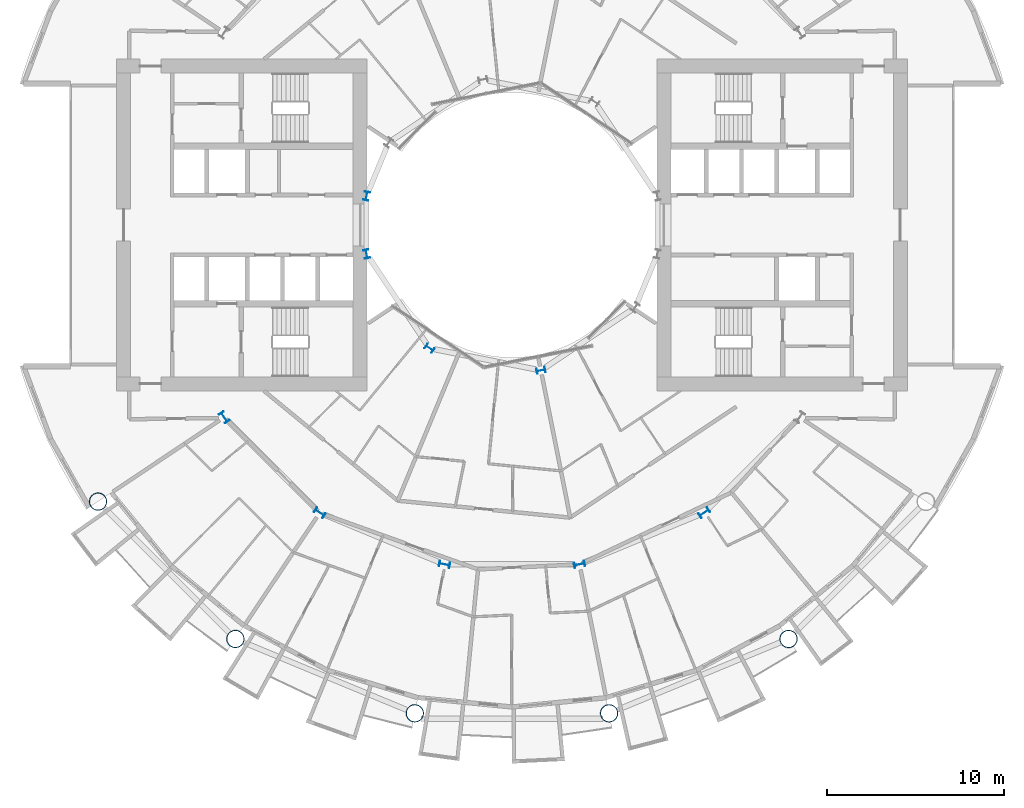
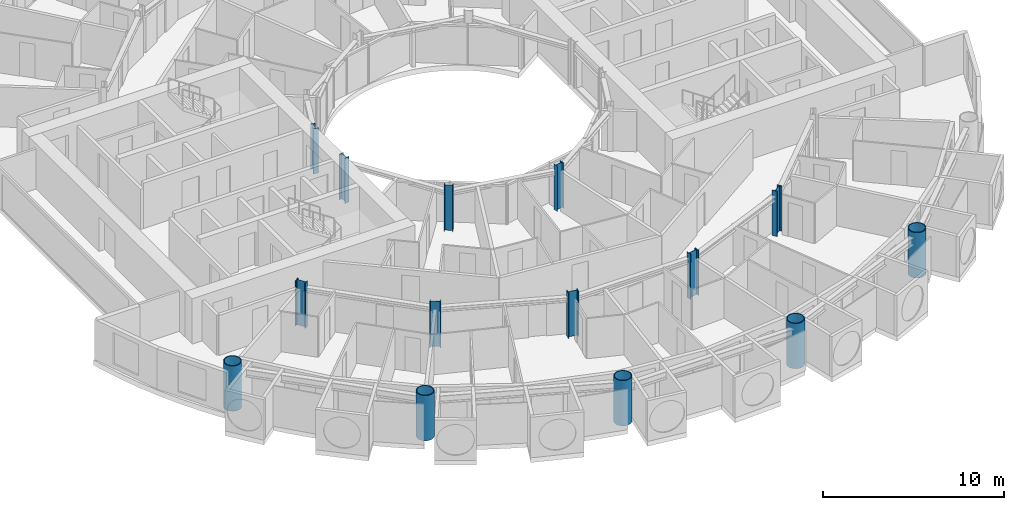
# One storey, part 1 of 26: 14 columns.
"""IFC4 building model written with IfcOpenShell, lengths in metres."""

import ifcopenshell
import ifcopenshell.guid

model = None  # the IFC model being written
_history = None  # IfcOwnerHistory: only IFC2X3 demands one
_inside = {}  # id of a spatial element -> (the spatial element, [elements in it])
_under = {}  # id of a project, library or spatial element -> (it, [spatial elements below it])
_declared = {}  # id of a project -> (the project, [libraries it declares])
_typed = {}  # id of a type object -> (the type object, [elements of that type])
_made_of = {}  # id of a material, layer set ... -> (it, [elements and type objects made of it])


def new_model(schema):
    """Start an empty IFC model of exactly this schema.

    Asked for "IFC4X3", IfcOpenShell would pick the latest addendum, in which some entities
    have other attributes; the version numbers below select the first issue.
    IFC2X3 requires an IfcOwnerHistory on every rooted entity: one is made here for all.
    """
    global model, _history
    if schema == "IFC4X3":
        model = ifcopenshell.file(schema_version=(4, 3, 0, 0))
    else:
        model = ifcopenshell.file(schema=schema)
    _inside.clear()
    _under.clear()
    _declared.clear()
    _typed.clear()
    _made_of.clear()
    _history = None
    if model.schema == "IFC2X3":
        org = make("IfcOrganization", Name="unknown")
        user = make(
            "IfcPersonAndOrganization",
            ThePerson=make("IfcPerson", FamilyName="unknown"),
            TheOrganization=org,
        )
        app = make(
            "IfcApplication",
            ApplicationDeveloper=org,
            Version="unknown",
            ApplicationFullName="unknown",
            ApplicationIdentifier="unknown",
        )
        _history = make(
            "IfcOwnerHistory",
            OwningUser=user,
            OwningApplication=app,
            ChangeAction="ADDED",
            CreationDate=0,
        )
    return model


def make(cls, **values):
    """One entity of the class cls with the attributes given. An attribute that is None is left unset."""
    return model.create_entity(
        cls, **{name: value for name, value in values.items() if value is not None}
    )


def rooted(cls, **values):
    """An entity with a GlobalId (a new one), such as an element, a storey or a relation."""
    return make(cls, GlobalId=ifcopenshell.guid.new(), OwnerHistory=_history, **values)


def si_unit(unit_type, name, prefix=None):
    """IfcSIUnit, for example si_unit("LENGTHUNIT", "METRE", prefix="MILLI")."""
    return make("IfcSIUnit", UnitType=unit_type, Prefix=prefix, Name=name)


def assignment(units):
    """IfcUnitAssignment: the units of a project."""
    return None if units is None else make("IfcUnitAssignment", Units=units)


def point(xyz):
    """IfcCartesianPoint."""
    return None if xyz is None else make("IfcCartesianPoint", Coordinates=xyz)


def direction(xyz):
    """IfcDirection."""
    return None if xyz is None else make("IfcDirection", DirectionRatios=xyz)


def frame(location, z_axis=None, x_axis=None):
    """IfcAxis2Placement3D, a coordinate frame: its origin and axes. An axis left out is left unset."""
    return make(
        "IfcAxis2Placement3D",
        Location=point(location),
        Axis=direction(z_axis),
        RefDirection=direction(x_axis),
    )


def frame_2d(location, x_axis=None):
    """IfcAxis2Placement2D, a coordinate frame in the plane: its origin and x axis."""
    return make(
        "IfcAxis2Placement2D", Location=point(location), RefDirection=direction(x_axis)
    )


def origin():
    """The frame at (0, 0, 0) with its axes left unset."""
    return frame((0.0, 0.0, 0.0))


def origin_2d():
    """The frame at (0, 0) in the plane with its x axis left unset."""
    return frame_2d((0.0, 0.0))


def place(relative_to, where):
    """IfcLocalPlacement: puts the frame where relative to a parent placement (None: the world)."""
    return make(
        "IfcLocalPlacement", PlacementRelTo=relative_to, RelativePlacement=where
    )


def context(
    kind, dimensions, precision=None, world=None, true_north=None, identifier=None
):
    """IfcGeometricRepresentationContext, for example the 3D "Model" context."""
    return make(
        "IfcGeometricRepresentationContext",
        ContextIdentifier=identifier,
        ContextType=kind,
        CoordinateSpaceDimension=dimensions,
        Precision=precision,
        WorldCoordinateSystem=world,
        TrueNorth=true_north,
    )


def subcontext(parent, identifier, kind, view, scale=None):
    """IfcGeometricRepresentationSubContext, for example "Body" below "Model"."""
    return make(
        "IfcGeometricRepresentationSubContext",
        ContextIdentifier=identifier,
        ContextType=kind,
        ParentContext=parent,
        TargetScale=scale,
        TargetView=view,
    )


def project(units=None, contexts=None):
    """IfcProject with its units and contexts."""
    return rooted(
        "IfcProject",
        Name="project",
        RepresentationContexts=contexts,
        UnitsInContext=assignment(units),
    )


def spatial(cls, under=None, at=None, **own):
    """A site, building, storey or space (cls), placed at a placement, below another one or the project."""
    s = rooted(cls, ObjectPlacement=at, **own)
    if under is not None:
        _under.setdefault(under.id(), (under, []))[1].append(s)
    return s


def profile(cls, at=None, kind="AREA", **sizes):
    """A parametric profile (cls). Its sizes go by their IFC names, for example OverallWidth=200.0."""
    return make(cls, ProfileType=kind, Position=at, **sizes)


def hollow_circle(**sizes):
    """IfcCircleHollowProfileDef."""
    return profile("IfcCircleHollowProfileDef", **sizes)


def i_section(**sizes):
    """IfcIShapeProfileDef."""
    return profile("IfcIShapeProfileDef", **sizes)


def extrude(swept, where, along, depth):
    """IfcExtrudedAreaSolid: the profile swept, set in the frame where, extruded along a direction by depth."""
    return make(
        "IfcExtrudedAreaSolid",
        SweptArea=swept,
        Position=where,
        ExtrudedDirection=direction(along),
        Depth=depth,
    )


def shape(context_of_items, identifier, shape_type, items):
    """IfcShapeRepresentation: the items that make up one representation, for example the "Body"."""
    return make(
        "IfcShapeRepresentation",
        ContextOfItems=context_of_items,
        RepresentationIdentifier=identifier,
        RepresentationType=shape_type,
        Items=items,
    )


def material(Name=None, Category=None):
    """IfcMaterial."""
    return make("IfcMaterial", Name=Name, Category=Category)


def material_profile(
    of_material, cross_section, Name=None, Category=None, Priority=None
):
    """IfcMaterialProfile: a cross section and its material."""
    return make(
        "IfcMaterialProfile",
        Name=Name,
        Material=of_material,
        Profile=cross_section,
        Priority=Priority,
        Category=Category,
    )


def profile_set(profiles, Name=None, composite=None):
    """IfcMaterialProfileSet."""
    return make(
        "IfcMaterialProfileSet",
        Name=Name,
        MaterialProfiles=profiles,
        CompositeProfile=composite,
    )


def made_of(thing, what):
    """Note that an element or type object is made of a material, layer set ...; save() writes the relation."""
    if what is not None:
        _made_of.setdefault(what.id(), (what, []))[1].append(thing)
    return thing


def type_object(cls, material=None, **own):
    """A type object (cls), such as IfcWallType, which elements share."""
    return made_of(rooted(cls, **own), material)


def element(
    cls,
    number,
    at=None,
    inside=None,
    cuts=None,
    type_object=None,
    material=None,
    context=None,
    identifier="Body",
    shape_type=None,
    held_by="IfcProductDefinitionShape",
    body=None,
    shapes=None,
    **own,
):
    """One element of the class cls, such as IfcWall. Its Tag is "e" and its number.

    at: its placement. inside: the storey or other place that contains it. cuts: it is an
    opening in that element (IfcRelVoidsElement). A single representation is given by context,
    identifier, shape_type and body (its items); several are given by shapes. held_by: the class
    of the entity that holds the representations. save() writes the other relations.
    """
    e = rooted(cls, Tag="e%d" % number, ObjectPlacement=at, **own)
    if body is not None:
        shapes = [shape(context, identifier, shape_type, body)]
    if shapes is not None:
        e.Representation = make(held_by, Representations=shapes)
    if inside is not None:
        _inside.setdefault(inside.id(), (inside, []))[1].append(e)
    if cuts is not None:
        rooted(
            "IfcRelVoidsElement", RelatingBuildingElement=cuts, RelatedOpeningElement=e
        )
    if type_object is not None:
        _typed.setdefault(type_object.id(), (type_object, []))[1].append(e)
    return made_of(e, material)


def aggregate(whole, parts):
    """IfcRelAggregates: a whole, such as a stair, and the parts it consists of."""
    return rooted("IfcRelAggregates", RelatingObject=whole, RelatedObjects=parts)


def save(model, path):
    """Write the relations noted so far, then the file.

    IfcRelAggregates (storeys below a building ...), IfcRelContainedInSpatialStructure (elements
    in a storey), IfcRelDefinesByType, IfcRelAssociatesMaterial and IfcRelDeclares: one each for
    every whole, place, type object, material and project.
    """
    for whole, parts in _under.values():
        aggregate(whole, parts)
    for where, things in _inside.values():
        rooted(
            "IfcRelContainedInSpatialStructure",
            RelatedElements=things,
            RelatingStructure=where,
        )
    for kind, things in _typed.values():
        rooted("IfcRelDefinesByType", RelatedObjects=things, RelatingType=kind)
    for what, things in _made_of.values():
        rooted("IfcRelAssociatesMaterial", RelatedObjects=things, RelatingMaterial=what)
    for by, libraries in _declared.values():
        rooted("IfcRelDeclares", RelatingContext=by, RelatedDefinitions=libraries)
    model.write(path)


model = new_model("IFC4")

# Units and contexts
model_context = context("Model", 3, precision=1e-05, world=origin(), true_north=direction((0.0, 1.0)))
body_context = subcontext(model_context, "Body", "Model", "MODEL_VIEW")
ifc_project = project(units=[si_unit("LENGTHUNIT", "METRE"), si_unit("AREAUNIT", "SQUARE_METRE"), si_unit("VOLUMEUNIT", "CUBIC_METRE"), si_unit("PLANEANGLEUNIT", "RADIAN"), si_unit("MASSUNIT", "GRAM", prefix="KILO")], contexts=[model_context])

# Site, building, storey
site_placement = place(None, origin())
site = spatial("IfcSite", under=ifc_project, at=site_placement, CompositionType="ELEMENT")
building_placement = place(site_placement, origin())
building = spatial("IfcBuilding", under=site, at=building_placement, Name="Maasbend Ring Residences", CompositionType="ELEMENT")
storey_placement = place(building_placement, frame((0.0, 0.0, 22.800048828125)))
storey = spatial("IfcBuildingStorey", under=building, at=storey_placement, Name="L05", CompositionType="ELEMENT", Elevation=22.800048828125)

# Columns
ifc_material_1 = material(Name="Composite concrete-filled steel tube S460NH / C80/95", Category="concrete")
ifc_material_profile_1 = material_profile(ifc_material_1, hollow_circle(Radius=0.508056640625, WallThickness=0.050048828125, at=origin_2d()), Name="Composite tube column CHS 1016x50")
ifc_profile_set_1 = profile_set([ifc_material_profile_1], Name="Composite concrete-filled steel tube S460NH / C80/95")
column_type_1 = type_object("IfcColumnType", Name="Composite tube column CHS 1016x50", PredefinedType="COLUMN", material=ifc_profile_set_1)
for number, where, z_axis, x_axis, name in (
    (1, (-23.447509765625, -15.6669921875, 0.0), (0.0, 0.0, 1.0), (1.0, 0.0, 0.0), "Outer column R10"),
    (2, (-15.6669921875, -23.447509765625, 0.0), (0.0, 0.0, 1.0), (1.0, 0.0, 0.0), "Outer column R11"),
    (3, (-5.50146484375, -27.658203125, 0.0), (0.0, 0.0, 1.0), (1.0, 0.0, 0.0), "Outer column R12"),
    (4, (5.50146484375, -27.658203125, 0.0), (0.0, 0.0, 1.0), (1.0, 0.0, 0.0), "Outer column R13"),
    (5, (15.6669921875, -23.447509765625, 0.0), (0.0, 0.0, 1.0), (1.0, 0.0, 0.0), "Outer column R14"),
):
    element("IfcColumn", number, at=place(storey_placement, frame(where, z_axis=z_axis, x_axis=x_axis)), inside=storey, type_object=column_type_1, Name=name, PredefinedType="COLUMN", context=body_context, shape_type="SweptSolid", body=[
        extrude(hollow_circle(Radius=0.508056640625, WallThickness=0.050048828125, at=origin_2d()), origin(), (0.0, 0.0, 1.0), 3.050048828125),
    ])
ifc_material_2 = material(Name="Steel S355J2", Category="steel")
ifc_material_profile_2 = material_profile(ifc_material_2, i_section(OverallWidth=0.300048828125, OverallDepth=0.5, WebThickness=0.014404296875, FlangeThickness=0.028076171875, FilletRadius=0.027099609375, at=origin_2d()), Name="HEB 500")
ifc_profile_set_2 = profile_set([ifc_material_profile_2], Name="Steel S355J2")
column_type_2 = type_object("IfcColumnType", Name="Steel column HEB 500", PredefinedType="COLUMN", material=ifc_profile_set_2)
for number, where, z_axis, x_axis, name in (
    (6, (-8.238525390625, 1.638916015625, 0.0), (0.0, 0.0, 1.0), (-0.980785280403, 0.195090322016, 0.0), "Well ring column R8"),
    (7, (-8.238525390625, -1.638916015625, 0.0), (0.0, 0.0, 1.0), (-0.980785280403, -0.195090322016, 0.0), "Well ring column R9"),
    (8, (-4.666748046875, -6.984375, 0.0), (0.0, 0.0, 1.0), (-0.55557023302, -0.831469612303, 0.0), "Well ring column R11"),
    (9, (1.638916015625, -8.238525390625, 0.0), (0.0, 0.0, 1.0), (0.195090322016, -0.980785280403, 0.0), "Well ring column R13"),
):
    element("IfcColumn", number, at=place(storey_placement, frame(where, z_axis=z_axis, x_axis=x_axis)), inside=storey, type_object=column_type_2, Name=name, PredefinedType="COLUMN", context=body_context, shape_type="SweptSolid", body=[
        extrude(i_section(OverallWidth=0.300048828125, OverallDepth=0.5, WebThickness=0.014404296875, FlangeThickness=0.028076171875, FilletRadius=0.027099609375, at=origin_2d()), origin(), (0.0, 0.0, 1.0), 3.050048828125),
    ])
ifc_material_3 = material(Name="Steel S460M", Category="steel")
ifc_material_profile_3 = material_profile(ifc_material_3, i_section(OverallWidth=0.304931640625, OverallDepth=0.6201171875, WebThickness=0.02099609375, FlangeThickness=0.0400390625, FilletRadius=0.027099609375, at=origin_2d()), Name="HEM 600")
ifc_profile_set_3 = profile_set([ifc_material_profile_3], Name="Steel S460M")
column_type_3 = type_object("IfcColumnType", Name="Steel column HEM 600", PredefinedType="COLUMN", material=ifc_profile_set_3)
for number, where, z_axis, x_axis, name in (
    (10, (-16.296875, -10.88916015625, 0.0), (0.0, 0.0, 1.0), (-0.831469612303, -0.55557023302, 0.0), "Corridor ring column R10"),
    (11, (-10.88916015625, -16.296875, 0.0), (0.0, 0.0, 1.0), (-0.55557023302, -0.831469612303, 0.0), "Corridor ring column R11"),
    (12, (-3.82373046875, -19.223388671875, 0.0), (0.0, 0.0, 1.0), (-0.195090322016, -0.980785280403, 0.0), "Corridor ring column R12"),
    (13, (3.82373046875, -19.223388671875, 0.0), (0.0, 0.0, 1.0), (0.195090322016, -0.980785280403, 0.0), "Corridor ring column R13"),
    (14, (10.88916015625, -16.296875, 0.0), (0.0, 0.0, 1.0), (0.55557023302, -0.831469612303, 0.0), "Corridor ring column R14"),
):
    element("IfcColumn", number, at=place(storey_placement, frame(where, z_axis=z_axis, x_axis=x_axis)), inside=storey, type_object=column_type_3, Name=name, PredefinedType="COLUMN", context=body_context, shape_type="SweptSolid", body=[
        extrude(i_section(OverallWidth=0.304931640625, OverallDepth=0.6201171875, WebThickness=0.02099609375, FlangeThickness=0.0400390625, FilletRadius=0.027099609375, at=origin_2d()), origin(), (0.0, 0.0, 1.0), 3.050048828125),
    ])

save(model, "model.ifc")
